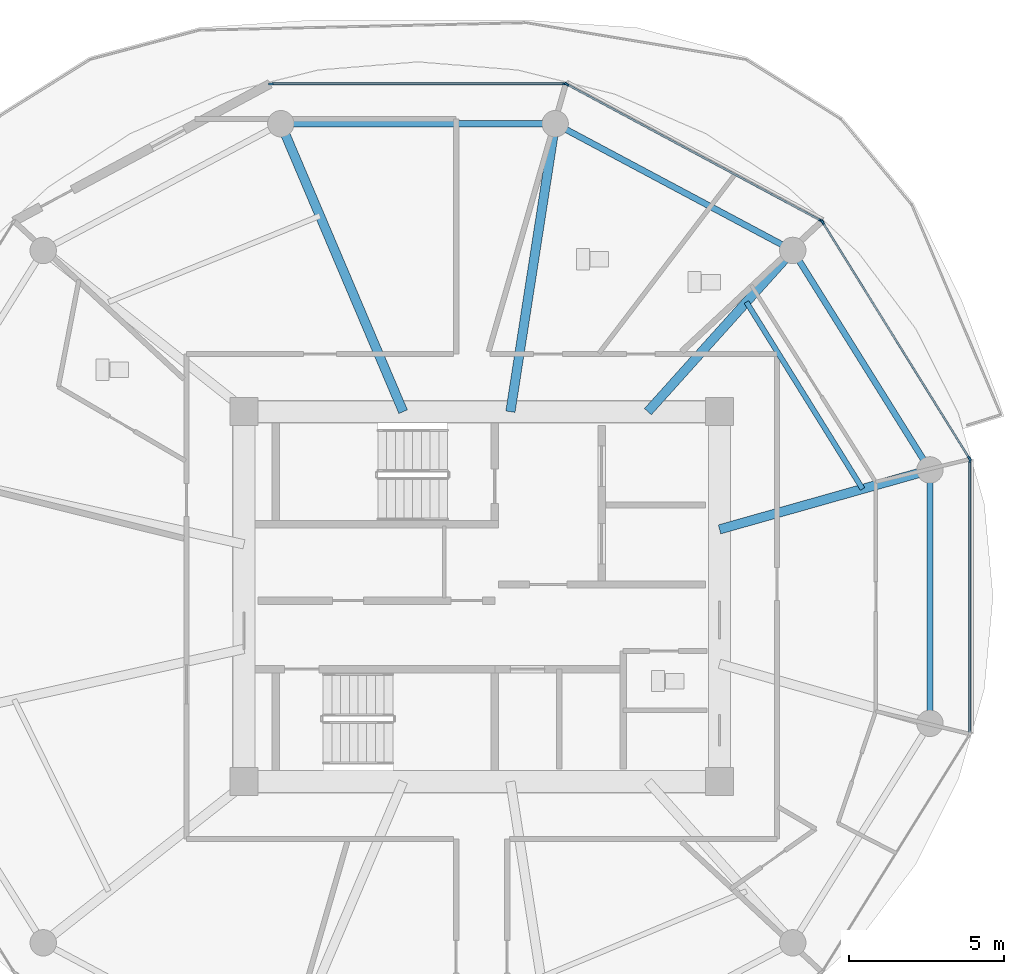
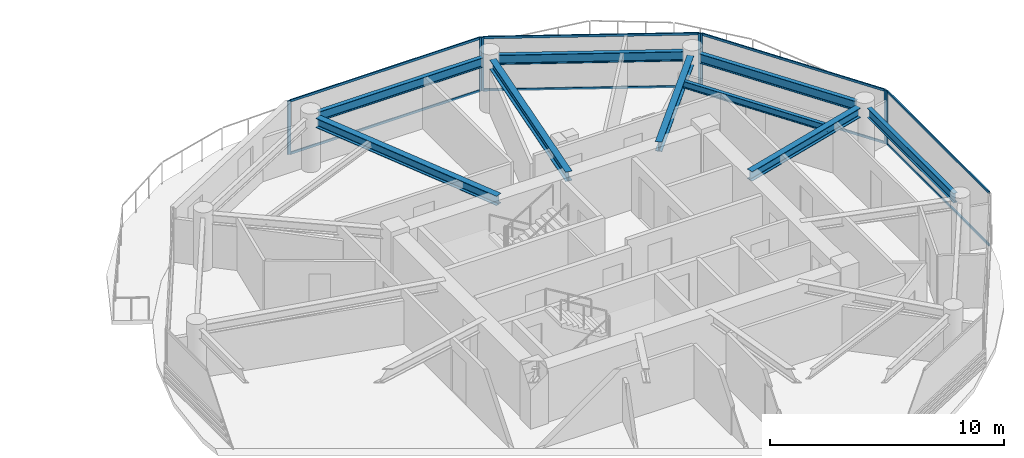
# One storey, part 11 of 24: 15 members, 9 beams, 4 elements without a shape of their own.
"""IFC4 building model written with IfcOpenShell, lengths in metres."""

from ifc_helpers import new_model, si_unit, direction, frame, origin, origin_2d, place, context, subcontext, project, spatial, rectangle, i_section, extrude, source, transform, mapped, material, layer, layer_set, material_profile, profile_set, type_object, type_shapes, element, aggregate, save


model = new_model("IFC4")

# Units and contexts
model_context = context("Model", 3, precision=1e-05, world=origin(), true_north=direction((0.0, 1.0)))
body_context = subcontext(model_context, "Body", "Model", "MODEL_VIEW")
ifc_project = project(units=[si_unit("LENGTHUNIT", "METRE"), si_unit("AREAUNIT", "SQUARE_METRE"), si_unit("VOLUMEUNIT", "CUBIC_METRE"), si_unit("PLANEANGLEUNIT", "RADIAN"), si_unit("MASSUNIT", "GRAM", prefix="KILO")], contexts=[model_context])

# Site, building, storey
site_placement = place(None, origin())
site = spatial("IfcSite", under=ifc_project, at=site_placement, CompositionType="ELEMENT")
building_placement = place(site_placement, origin())
building = spatial("IfcBuilding", under=site, at=building_placement, Name="Norrkilde Senior Care Towers", CompositionType="ELEMENT")
storey_placement = place(building_placement, frame((0.0, 0.0, 114.550048828125)))
storey = spatial("IfcBuildingStorey", under=building, at=storey_placement, Name="L35", CompositionType="ELEMENT", Elevation=114.550048828125)

# Beams
ifc_material_1 = material(Name="Steel S355", Category="steel")
ifc_material_profile_1 = material_profile(ifc_material_1, i_section(OverallWidth=0.199951171875, OverallDepth=0.5, WebThickness=0.01025390625, FlangeThickness=0.01611328125, FilletRadius=0.02099609375, at=origin_2d()), Name="IPE 500")
ifc_profile_set_1 = profile_set([ifc_material_profile_1], Name="Steel S355")
beam_type_1 = type_object("IfcBeamType", Name="Perimeter Ring Spandrel Z2 IPE500", PredefinedType="SPANDREL", material=ifc_profile_set_1)
shared_shape_1 = source(origin(), body_context, "Body", "SweptSolid", [
    extrude(i_section(OverallWidth=0.199951171875, OverallDepth=0.5, WebThickness=0.01025390625, FlangeThickness=0.01611328125, FilletRadius=0.02099609375, at=origin_2d()), origin(), (0.0, 0.0, 1.0), 7.892333984375),
])
beam_1_placement = place(storey_placement, frame((37.66650390625, 11.318115234375, 2.5400390625), z_axis=(-0.882350372282, 0.47059305194, 0.0), x_axis=(-0.47059305194, -0.882350372282, 0.0)))
element("IfcBeam", 1, at=beam_1_placement, inside=storey, type_object=beam_type_1, Name="L35 Drum E Perimeter Spandrel 02", PredefinedType="SPANDREL", context=body_context, shape_type="MappedRepresentation", body=[
    mapped(shared_shape_1, transform((0.0, 0.0, 0.0), x_axis=(1.0, 0.0, 0.0), y_axis=(0.0, 1.0, 0.0), z_axis=(0.0, 0.0, 1.0), scale=1.0)),
])
shared_shape_2 = source(origin(), body_context, "Body", "SweptSolid", [
    extrude(i_section(OverallWidth=0.199951171875, OverallDepth=0.5, WebThickness=0.01025390625, FlangeThickness=0.01611328125, FilletRadius=0.02099609375, at=origin_2d()), origin(), (0.0, 0.0, 1.0), 8.0556640625),
])
beam_2_placement = place(storey_placement, frame((29.977783203125, 15.21337890625, 2.5400390625), z_axis=(-1.0, 0.0, 0.0), x_axis=(0.0, -1.0, 0.0)))
element("IfcBeam", 2, at=beam_2_placement, inside=storey, type_object=beam_type_1, Name="L35 Drum E Perimeter Spandrel 03", PredefinedType="SPANDREL", context=body_context, shape_type="MappedRepresentation", body=[
    mapped(shared_shape_2, transform((0.0, 0.0, 0.0), x_axis=(1.0, 0.0, 0.0), y_axis=(0.0, 1.0, 0.0), z_axis=(0.0, 0.0, 1.0), scale=1.0)),
])
ifc_material_profile_2 = material_profile(ifc_material_1, i_section(OverallWidth=0.300048828125, OverallDepth=0.5, WebThickness=0.014404296875, FlangeThickness=0.028076171875, FilletRadius=0.027099609375, at=origin_2d()), Name="HEB 500")
ifc_profile_set_2 = profile_set([ifc_material_profile_2], Name="Steel S355")
beam_type_2 = type_object("IfcBeamType", Name="Radial Floor Beam Z2 HEB500", PredefinedType="BEAM", material=ifc_profile_set_2)
shared_shape_3 = source(origin(), body_context, "Body", "SweptSolid", [
    extrude(i_section(OverallWidth=0.300048828125, OverallDepth=0.5, WebThickness=0.014404296875, FlangeThickness=0.028076171875, FilletRadius=0.027099609375, at=origin_2d()), origin(), (0.0, 0.0, 1.0), 9.679443359375),
])
beam_3_placement = place(storey_placement, frame((25.472412109375, 5.949951171875, 2.5400390625), z_axis=(-0.390998033479, 0.920391513333, 0.0), x_axis=(-0.920391513333, -0.390998033479, 0.0)))
element("IfcBeam", 3, at=beam_3_placement, inside=storey, type_object=beam_type_2, Name="L35 Drum E Radial Floor Beam 04", PredefinedType="BEAM", context=body_context, shape_type="MappedRepresentation", body=[
    mapped(shared_shape_3, transform((0.0, 0.0, 0.0), x_axis=(1.0, 0.0, 0.0), y_axis=(0.0, 1.0, 0.0), z_axis=(0.0, 0.0, 1.0), scale=1.0)),
])
shared_shape_4 = source(origin(), body_context, "Body", "SweptSolid", [
    extrude(i_section(OverallWidth=0.300048828125, OverallDepth=0.5, WebThickness=0.014404296875, FlangeThickness=0.028076171875, FilletRadius=0.027099609375, at=origin_2d()), origin(), (0.0, 0.0, 1.0), 8.989501953125),
])
beam_4_placement = place(storey_placement, frame((28.924072265625, 5.949951171875, 2.5400390625), z_axis=(0.153471298636, 0.988153105796, 0.0), x_axis=(-0.988153105796, 0.153471298636, 0.0)))
element("IfcBeam", 4, at=beam_4_placement, inside=storey, type_object=beam_type_2, Name="L35 Drum E Radial Floor Beam 03", PredefinedType="BEAM", context=body_context, shape_type="MappedRepresentation", body=[
    mapped(shared_shape_4, transform((0.0, 0.0, 0.0), x_axis=(1.0, 0.0, 0.0), y_axis=(0.0, 1.0, 0.0), z_axis=(0.0, 0.0, 1.0), scale=1.0)),
])
shared_shape_5 = source(origin(), body_context, "Body", "SweptSolid", [
    extrude(i_section(OverallWidth=0.199951171875, OverallDepth=0.5, WebThickness=0.01025390625, FlangeThickness=0.01611328125, FilletRadius=0.02099609375, at=origin_2d()), origin(), (0.0, 0.0, 1.0), 7.556396484375),
])
beam_5_placement = place(storey_placement, frame((42.215087890625, 4.40283203125, 2.5400390625), z_axis=(-0.530004748437, 0.847994673706, 0.0), x_axis=(-0.847994673706, -0.530004748437, 0.0)))
element("IfcBeam", 5, at=beam_5_placement, inside=storey, type_object=beam_type_1, Name="L35 Drum E Perimeter Spandrel 01", PredefinedType="SPANDREL", context=body_context, shape_type="MappedRepresentation", body=[
    mapped(shared_shape_5, transform((0.0, 0.0, 0.0), x_axis=(1.0, 0.0, 0.0), y_axis=(0.0, 1.0, 0.0), z_axis=(0.0, 0.0, 1.0), scale=1.0)),
])
shared_shape_6 = source(origin(), body_context, "Body", "SweptSolid", [
    extrude(i_section(OverallWidth=0.300048828125, OverallDepth=0.5, WebThickness=0.014404296875, FlangeThickness=0.028076171875, FilletRadius=0.027099609375, at=origin_2d()), origin(), (0.0, 0.0, 1.0), 6.587890625),
])
beam_6_placement = place(storey_placement, frame((33.345947265625, 5.949951171875, 2.5400390625), z_axis=(0.668315438605, 0.743877997068, 0.0), x_axis=(-0.743877997068, 0.668315438605, 0.0)))
element("IfcBeam", 6, at=beam_6_placement, inside=storey, type_object=beam_type_2, Name="L35 Drum E Radial Floor Beam 02", PredefinedType="BEAM", context=body_context, shape_type="MappedRepresentation", body=[
    mapped(shared_shape_6, transform((0.0, 0.0, 0.0), x_axis=(1.0, 0.0, 0.0), y_axis=(0.0, 1.0, 0.0), z_axis=(0.0, 0.0, 1.0), scale=1.0)),
])
shared_shape_7 = source(origin(), body_context, "Body", "SweptSolid", [
    extrude(i_section(OverallWidth=0.199951171875, OverallDepth=0.5, WebThickness=0.01025390625, FlangeThickness=0.01611328125, FilletRadius=0.02099609375, at=origin_2d()), origin(), (0.0, 0.0, 1.0), 7.3828125),
])
type_shapes(beam_type_1, [shared_shape_1, shared_shape_2, shared_shape_5, shared_shape_7])
beam_7_placement = place(storey_placement, frame((42.4189453125, -3.69140625, 2.5400390625), z_axis=(0.0, 1.0, 0.0), x_axis=(-1.0, 0.0, 0.0)))
element("IfcBeam", 7, at=beam_7_placement, inside=storey, type_object=beam_type_1, Name="L35 Drum E Perimeter Spandrel 12", PredefinedType="SPANDREL", context=body_context, shape_type="MappedRepresentation", body=[
    mapped(shared_shape_7, transform((0.0, 0.0, 0.0), x_axis=(1.0, 0.0, 0.0), y_axis=(0.0, 1.0, 0.0), z_axis=(0.0, 0.0, 1.0), scale=1.0)),
])
shared_shape_8 = source(origin(), body_context, "Body", "SweptSolid", [
    extrude(i_section(OverallWidth=0.300048828125, OverallDepth=0.5, WebThickness=0.014404296875, FlangeThickness=0.028076171875, FilletRadius=0.027099609375, at=origin_2d()), origin(), (0.0, 0.0, 1.0), 6.6494140625),
])
type_shapes(beam_type_2, [shared_shape_3, shared_shape_4, shared_shape_6, shared_shape_8])
beam_8_placement = place(storey_placement, frame((35.64990234375, 2.162841796875, 2.5400390625), z_axis=(0.962289138357, 0.27202870106, 0.0), x_axis=(-0.27202870106, 0.962289138357, 0.0)))
element("IfcBeam", 8, at=beam_8_placement, inside=storey, type_object=beam_type_2, Name="L35 Drum E Radial Floor Beam 01", PredefinedType="BEAM", context=body_context, shape_type="MappedRepresentation", body=[
    mapped(shared_shape_8, transform((0.0, 0.0, 0.0), x_axis=(1.0, 0.0, 0.0), y_axis=(0.0, 1.0, 0.0), z_axis=(0.0, 0.0, 1.0), scale=1.0)),
])
ifc_material_profile_3 = material_profile(ifc_material_1, i_section(OverallWidth=0.169921875, OverallDepth=0.360107421875, WebThickness=0.008056640625, FlangeThickness=0.0126953125, FilletRadius=0.01806640625, at=origin_2d()), Name="IPE 360")
ifc_profile_set_3 = profile_set([ifc_material_profile_3], Name="Steel S355")
beam_type_3 = type_object("IfcBeamType", Name="Secondary Floor Joist IPE360", PredefinedType="JOIST", material=ifc_profile_set_3)
shared_shape_9 = source(origin(), body_context, "Body", "SweptSolid", [
    extrude(i_section(OverallWidth=0.169921875, OverallDepth=0.360107421875, WebThickness=0.008056640625, FlangeThickness=0.0126953125, FilletRadius=0.01806640625, at=origin_2d()), origin(), (0.0, 0.0, 1.0), 7.080078125),
])
type_shapes(beam_type_3, [shared_shape_9])
beam_9_placement = place(storey_placement, frame((40.2529296875, 3.464111328125, 2.60986328125), z_axis=(-0.527961009189, 0.849268610497, 0.0), x_axis=(-0.849268610497, -0.527961009189, 0.0)))
element("IfcBeam", 9, at=beam_9_placement, inside=storey, type_object=beam_type_3, Name="L35 Drum E Secondary Floor Joist 1", PredefinedType="JOIST", context=body_context, shape_type="MappedRepresentation", body=[
    mapped(shared_shape_9, transform((0.0, 0.0, 0.0), x_axis=(1.0, 0.0, 0.0), y_axis=(0.0, 1.0, 0.0), z_axis=(0.0, 0.0, 1.0), scale=1.0)),
])

# Curtain wall, members
ifc_material_2 = material(Name="Triple Low-E Insulated Glazing", Category="glass")
ifc_layer = layer(ifc_material_2, 0.195068359375)
ifc_layer_set = layer_set([ifc_layer], Name="Triple Low-E Insulated Glazing")
curtain_wall_type = type_object("IfcCurtainWallType", Name="CW3 Zone 2 Assisted Living Curtain Wall", PredefinedType="NOTDEFINED", material=ifc_layer_set)
curtain_wall_1_placement = place(storey_placement, origin())
curtain_wall_1 = element("IfcCurtainWall", 10, at=curtain_wall_1_placement, inside=storey, type_object=curtain_wall_type, Name="L35 Drum E Curtain Wall 00", PredefinedType="NOTDEFINED")
ifc_material_3 = material(Name="Anodised Aluminium", Category="aluminium")
ifc_material_profile_4 = material_profile(ifc_material_3, rectangle(XDim=0.06494140625, YDim=0.159912109375, at=origin_2d()), Name="ALU MULL 65x160")
ifc_profile_set_4 = profile_set([ifc_material_profile_4], Name="Anodised Aluminium")
member_type_1 = type_object("IfcMemberType", Name="Curtain Wall Mullion Z1-Z2 65x160", PredefinedType="MULLION", material=ifc_profile_set_4)
shared_shape_10 = source(origin(), body_context, "Body", "SweptSolid", [
    extrude(rectangle(XDim=0.06494140625, YDim=0.159912109375, at=origin_2d()), origin(), (0.0, 0.0, 1.0), 2.7900390625),
])
type_shapes(member_type_1, [shared_shape_10])
member_1_placement = place(storey_placement, frame((38.9638671875, 12.0498046875, 0.0), z_axis=(0.0, 0.0, 1.0), x_axis=(0.849410171862, 0.527733228002, 0.0)))
member_1 = element("IfcMember", 11, at=member_1_placement, type_object=member_type_1, Name="CW-3 mullion 1", PredefinedType="MULLION", context=body_context, shape_type="MappedRepresentation", body=[
    mapped(shared_shape_10, transform((0.0, 0.0, 0.0), x_axis=(1.0, 0.0, 0.0), y_axis=(0.0, 1.0, 0.0), z_axis=(0.0, 0.0, 1.0), scale=1.0)),
])
member_2_placement = place(storey_placement, frame((43.6865234375, 4.4482421875, 0.0), z_axis=(0.0, 0.0, 1.0), x_axis=(0.849410171862, 0.527733228002, 0.0)))
member_2 = element("IfcMember", 12, at=member_2_placement, type_object=member_type_1, Name="CW-3 mullion 2", PredefinedType="MULLION", context=body_context, shape_type="MappedRepresentation", body=[
    mapped(shared_shape_10, transform((0.0, 0.0, 0.0), x_axis=(1.0, 0.0, 0.0), y_axis=(0.0, 1.0, 0.0), z_axis=(0.0, 0.0, 1.0), scale=1.0)),
])

curtain_wall_2_placement = place(storey_placement, origin())
curtain_wall_2 = element("IfcCurtainWall", 13, at=curtain_wall_2_placement, inside=storey, type_object=curtain_wall_type, Name="L35 Drum E Curtain Wall 01", PredefinedType="NOTDEFINED")
member_3_placement = place(storey_placement, frame((30.73583984375, 16.482666015625, 0.0), z_axis=(0.0, 0.0, 1.0), x_axis=(0.472769402511, 0.881186184668, 0.0)))
member_3 = element("IfcMember", 14, at=member_3_placement, type_object=member_type_1, Name="CW-3 mullion 1", PredefinedType="MULLION", context=body_context, shape_type="MappedRepresentation", body=[
    mapped(shared_shape_10, transform((0.0, 0.0, 0.0), x_axis=(1.0, 0.0, 0.0), y_axis=(0.0, 1.0, 0.0), z_axis=(0.0, 0.0, 1.0), scale=1.0)),
])
member_4_placement = place(storey_placement, frame((38.91796875, 12.0927734375, 0.0), z_axis=(0.0, 0.0, 1.0), x_axis=(0.472769402511, 0.881186184668, 0.0)))
member_4 = element("IfcMember", 15, at=member_4_placement, type_object=member_type_1, Name="CW-3 mullion 2", PredefinedType="MULLION", context=body_context, shape_type="MappedRepresentation", body=[
    mapped(shared_shape_10, transform((0.0, 0.0, 0.0), x_axis=(1.0, 0.0, 0.0), y_axis=(0.0, 1.0, 0.0), z_axis=(0.0, 0.0, 1.0), scale=1.0)),
])

curtain_wall_3_placement = place(storey_placement, origin())
curtain_wall_3 = element("IfcCurtainWall", 16, at=curtain_wall_3_placement, inside=storey, type_object=curtain_wall_type, Name="L35 Drum E Curtain Wall 02", PredefinedType="NOTDEFINED")
member_5_placement = place(storey_placement, frame((21.225341796875, 16.498046875, 0.0), z_axis=(0.0, 0.0, 1.0), x_axis=(0.0, 1.0, 0.0)))
member_5 = element("IfcMember", 17, at=member_5_placement, type_object=member_type_1, Name="CW-3 mullion 1", PredefinedType="MULLION", context=body_context, shape_type="MappedRepresentation", body=[
    mapped(shared_shape_10, transform((0.0, 0.0, 0.0), x_axis=(1.0, 0.0, 0.0), y_axis=(0.0, 1.0, 0.0), z_axis=(0.0, 0.0, 1.0), scale=1.0)),
])
member_6_placement = place(storey_placement, frame((30.674560546875, 16.498046875, 0.0), z_axis=(0.0, 0.0, 1.0), x_axis=(0.0, 1.0, 0.0)))
member_6 = element("IfcMember", 18, at=member_6_placement, type_object=member_type_1, Name="CW-3 mullion 2", PredefinedType="MULLION", context=body_context, shape_type="MappedRepresentation", body=[
    mapped(shared_shape_10, transform((0.0, 0.0, 0.0), x_axis=(1.0, 0.0, 0.0), y_axis=(0.0, 1.0, 0.0), z_axis=(0.0, 0.0, 1.0), scale=1.0)),
])

# Curtain wall, member
curtain_wall_4_placement = place(storey_placement, origin())
curtain_wall_4 = element("IfcCurtainWall", 19, at=curtain_wall_4_placement, inside=storey, type_object=curtain_wall_type, Name="L35 Drum E Curtain Wall 11", PredefinedType="NOTDEFINED")
member_7_placement = place(storey_placement, frame((43.70361328125, 4.38818359375, 0.0), z_axis=(0.0, 0.0, 1.0), x_axis=(1.0, 0.0, 0.0)))
member_7 = element("IfcMember", 20, at=member_7_placement, type_object=member_type_1, Name="CW-3 mullion 1", PredefinedType="MULLION", context=body_context, shape_type="MappedRepresentation", body=[
    mapped(shared_shape_10, transform((0.0, 0.0, 0.0), x_axis=(1.0, 0.0, 0.0), y_axis=(0.0, 1.0, 0.0), z_axis=(0.0, 0.0, 1.0), scale=1.0)),
])

# Member
ifc_material_profile_5 = material_profile(ifc_material_3, rectangle(XDim=0.06005859375, YDim=0.1201171875, at=origin_2d()), Name="ALU TRAN 60x120")
ifc_profile_set_5 = profile_set([ifc_material_profile_5], Name="Anodised Aluminium")
member_type_2 = type_object("IfcMemberType", Name="Curtain Wall Transom Typical 60x120", PredefinedType="USERDEFINED", material=ifc_profile_set_5)
shared_shape_11 = source(origin(), body_context, "Body", "SweptSolid", [
    extrude(rectangle(XDim=0.06005859375, YDim=0.1201171875, at=origin_2d()), origin(), (0.0, 0.0, 1.0), 8.88427734375),
])
member_8_placement = place(storey_placement, frame((38.98095703125, 12.022216796875, 0.030029296875), z_axis=(0.527729466743, -0.849412508697, 0.0), x_axis=(0.849412508697, 0.527729466743, 0.0)))
member_8 = element("IfcMember", 21, at=member_8_placement, type_object=member_type_2, Name="CW-3 transom 1.1", ObjectType="TRANSOM", PredefinedType="USERDEFINED", context=body_context, shape_type="MappedRepresentation", body=[
    mapped(shared_shape_11, transform((0.0, 0.0, 0.0), x_axis=(1.0, 0.0, 0.0), y_axis=(0.0, 1.0, 0.0), z_axis=(0.0, 0.0, 1.0), scale=1.0)),
])

member_9_placement = place(storey_placement, frame((38.98095703125, 12.022216796875, 2.760009765625), z_axis=(0.527729466743, -0.849412508697, 0.0), x_axis=(0.849412508697, 0.527729466743, 0.0)))
member_9 = element("IfcMember", 22, at=member_9_placement, type_object=member_type_2, Name="CW-3 transom 1.2", ObjectType="TRANSOM", PredefinedType="USERDEFINED", context=body_context, shape_type="MappedRepresentation", body=[
    mapped(shared_shape_11, transform((0.0, 0.0, 0.0), x_axis=(1.0, 0.0, 0.0), y_axis=(0.0, 1.0, 0.0), z_axis=(0.0, 0.0, 1.0), scale=1.0)),
])

aggregate(curtain_wall_1, [member_1, member_2, member_8, member_9])

shared_shape_12 = source(origin(), body_context, "Body", "SweptSolid", [
    extrude(rectangle(XDim=0.06005859375, YDim=0.1201171875, at=origin_2d()), origin(), (0.0, 0.0, 1.0), 9.220458984375),
])
member_10_placement = place(storey_placement, frame((30.764404296875, 16.46728515625, 0.030029296875), z_axis=(0.881188517866, -0.472765053681, 0.0), x_axis=(0.472765053681, 0.881188517866, 0.0)))
member_10 = element("IfcMember", 23, at=member_10_placement, type_object=member_type_2, Name="CW-3 transom 1.1", ObjectType="TRANSOM", PredefinedType="USERDEFINED", context=body_context, shape_type="MappedRepresentation", body=[
    mapped(shared_shape_12, transform((0.0, 0.0, 0.0), x_axis=(1.0, 0.0, 0.0), y_axis=(0.0, 1.0, 0.0), z_axis=(0.0, 0.0, 1.0), scale=1.0)),
])

member_11_placement = place(storey_placement, frame((30.764404296875, 16.46728515625, 2.760009765625), z_axis=(0.881188517866, -0.472765053681, 0.0), x_axis=(0.472765053681, 0.881188517866, 0.0)))
member_11 = element("IfcMember", 24, at=member_11_placement, type_object=member_type_2, Name="CW-3 transom 1.2", ObjectType="TRANSOM", PredefinedType="USERDEFINED", context=body_context, shape_type="MappedRepresentation", body=[
    mapped(shared_shape_12, transform((0.0, 0.0, 0.0), x_axis=(1.0, 0.0, 0.0), y_axis=(0.0, 1.0, 0.0), z_axis=(0.0, 0.0, 1.0), scale=1.0)),
])

aggregate(curtain_wall_2, [member_3, member_4, member_10, member_11])

shared_shape_13 = source(origin(), body_context, "Body", "SweptSolid", [
    extrude(rectangle(XDim=0.06005859375, YDim=0.1201171875, at=origin_2d()), origin(), (0.0, 0.0, 1.0), 9.38427734375),
])
member_12_placement = place(storey_placement, frame((21.2578125, 16.498046875, 0.030029296875), z_axis=(1.0, 0.0, 0.0), x_axis=(0.0, 1.0, 0.0)))
member_12 = element("IfcMember", 25, at=member_12_placement, type_object=member_type_2, Name="CW-3 transom 1.1", ObjectType="TRANSOM", PredefinedType="USERDEFINED", context=body_context, shape_type="MappedRepresentation", body=[
    mapped(shared_shape_13, transform((0.0, 0.0, 0.0), x_axis=(1.0, 0.0, 0.0), y_axis=(0.0, 1.0, 0.0), z_axis=(0.0, 0.0, 1.0), scale=1.0)),
])

member_13_placement = place(storey_placement, frame((21.2578125, 16.498046875, 2.760009765625), z_axis=(1.0, 0.0, 0.0), x_axis=(0.0, 1.0, 0.0)))
member_13 = element("IfcMember", 26, at=member_13_placement, type_object=member_type_2, Name="CW-3 transom 1.2", ObjectType="TRANSOM", PredefinedType="USERDEFINED", context=body_context, shape_type="MappedRepresentation", body=[
    mapped(shared_shape_13, transform((0.0, 0.0, 0.0), x_axis=(1.0, 0.0, 0.0), y_axis=(0.0, 1.0, 0.0), z_axis=(0.0, 0.0, 1.0), scale=1.0)),
])

aggregate(curtain_wall_3, [member_5, member_6, member_12, member_13])

shared_shape_14 = source(origin(), body_context, "Body", "SweptSolid", [
    extrude(rectangle(XDim=0.06005859375, YDim=0.1201171875, at=origin_2d()), origin(), (0.0, 0.0, 1.0), 8.71142578125),
])
type_shapes(member_type_2, [shared_shape_11, shared_shape_12, shared_shape_13, shared_shape_14])
member_14_placement = place(storey_placement, frame((43.70361328125, 4.355712890625, 0.030029296875), z_axis=(0.0, -1.0, 0.0), x_axis=(1.0, 0.0, 0.0)))
member_14 = element("IfcMember", 27, at=member_14_placement, type_object=member_type_2, Name="CW-3 transom 1.1", ObjectType="TRANSOM", PredefinedType="USERDEFINED", context=body_context, shape_type="MappedRepresentation", body=[
    mapped(shared_shape_14, transform((0.0, 0.0, 0.0), x_axis=(1.0, 0.0, 0.0), y_axis=(0.0, 1.0, 0.0), z_axis=(0.0, 0.0, 1.0), scale=1.0)),
])

member_15_placement = place(storey_placement, frame((43.70361328125, 4.355712890625, 2.760009765625), z_axis=(0.0, -1.0, 0.0), x_axis=(1.0, 0.0, 0.0)))
member_15 = element("IfcMember", 28, at=member_15_placement, type_object=member_type_2, Name="CW-3 transom 1.2", ObjectType="TRANSOM", PredefinedType="USERDEFINED", context=body_context, shape_type="MappedRepresentation", body=[
    mapped(shared_shape_14, transform((0.0, 0.0, 0.0), x_axis=(1.0, 0.0, 0.0), y_axis=(0.0, 1.0, 0.0), z_axis=(0.0, 0.0, 1.0), scale=1.0)),
])

aggregate(curtain_wall_4, [member_7, member_14, member_15])

save(model, "model.ifc")
